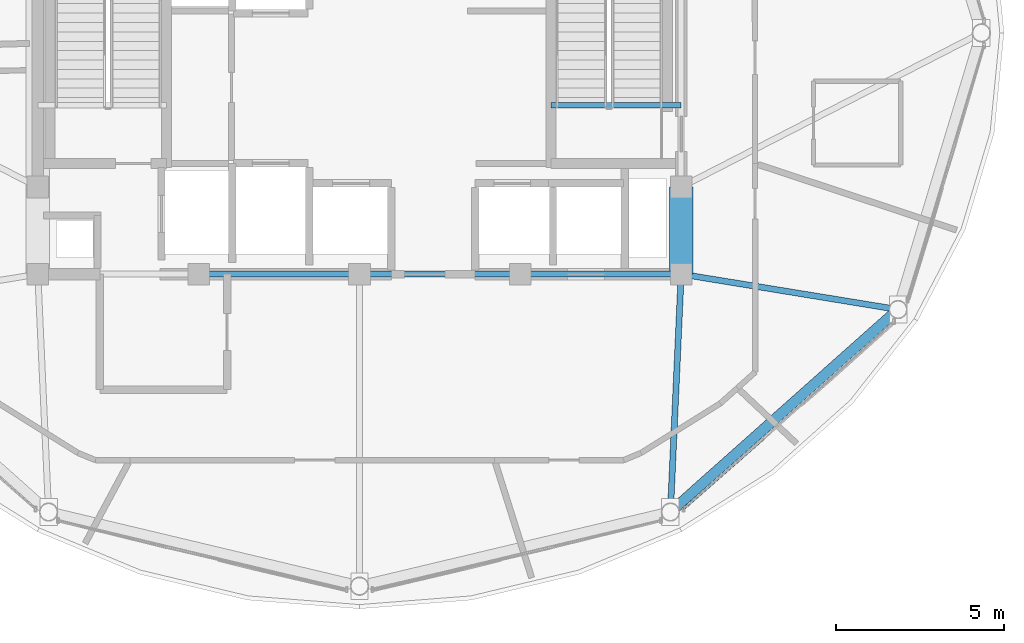
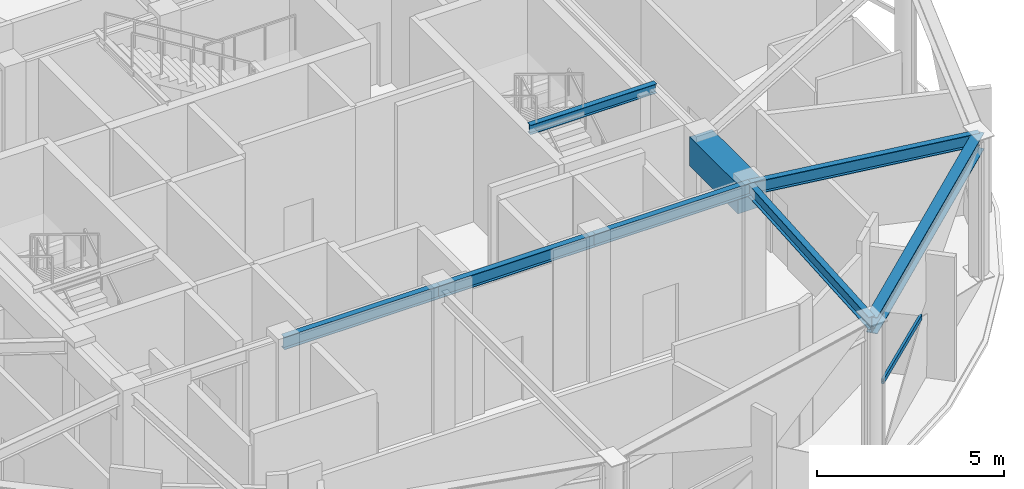
# One storey, part 6 of 22: 8 beams, 1 member, 1 element without a shape of its own.
"""IFC4 building model written with IfcOpenShell, lengths in metres."""

from ifc_helpers import new_model, si_unit, direction, frame, origin, origin_2d, place, context, subcontext, project, spatial, rectangle, hollow_rectangle, i_section, extrude, material, layer, layer_set, material_profile, profile_set, type_object, element, aggregate, save


model = new_model("IFC4")

# Units and contexts
model_context = context("Model", 3, precision=1e-05, world=origin(), true_north=direction((0.0, 1.0)))
body_context = subcontext(model_context, "Body", "Model", "MODEL_VIEW")
ifc_project = project(units=[si_unit("LENGTHUNIT", "METRE"), si_unit("AREAUNIT", "SQUARE_METRE"), si_unit("VOLUMEUNIT", "CUBIC_METRE"), si_unit("PLANEANGLEUNIT", "RADIAN"), si_unit("MASSUNIT", "GRAM", prefix="KILO")], contexts=[model_context])

# Site, building, storey
site_placement = place(None, origin())
site = spatial("IfcSite", under=ifc_project, at=site_placement, CompositionType="ELEMENT")
building_placement = place(site_placement, origin())
building = spatial("IfcBuilding", under=site, at=building_placement, Name="Vantalir Tower", CompositionType="ELEMENT")
storey_placement = place(building_placement, frame((0.0, 0.0, 294.89990234375)))
storey = spatial("IfcBuildingStorey", under=building, at=storey_placement, Name="L74", CompositionType="ELEMENT", Elevation=294.89990234375)

# Beams
ifc_material_1 = material(Name="Concrete C60/75", Category="concrete")
ifc_material_profile_1 = material_profile(ifc_material_1, rectangle(XDim=0.699951171875, YDim=0.949951171875, at=origin_2d()), Name="Concrete C60/75")
ifc_profile_set_1 = profile_set([ifc_material_profile_1], Name="Concrete C60/75")
beam_type_1 = type_object("IfcBeamType", Name="BM-CB-700x950", PredefinedType="USERDEFINED", material=ifc_profile_set_1)
beam_1_placement = place(storey_placement, frame((41.10009765625, 17.800048828125, 4.14501953125), z_axis=(0.0, 1.0, 0.0), x_axis=(-1.0, 0.0, 0.0)))
element("IfcBeam", 1, at=beam_1_placement, inside=storey, type_object=beam_type_1, Name="L74 Core Coupling Girder 05", ObjectType="GIRDER", PredefinedType="USERDEFINED", context=body_context, shape_type="SweptSolid", body=[
    extrude(rectangle(XDim=0.699951171875, YDim=0.949951171875, at=origin_2d()), origin(), (0.0, 0.0, 1.0), 2.599853515625),
])
ifc_material_2 = material(Name="Steel S355", Category="steel")
ifc_material_profile_2 = material_profile(ifc_material_2, i_section(OverallWidth=0.166015625, OverallDepth=0.306884765625, WebThickness=0.006591796875, FlangeThickness=0.01171875, at=origin_2d()), Name="Steel S355")
ifc_profile_set_2 = profile_set([ifc_material_profile_2], Name="Steel S355")
beam_type_2 = type_object("IfcBeamType", Name="BM-JS-305x165", PredefinedType="JOIST", material=ifc_profile_set_2)
beam_2_placement = place(storey_placement, frame((37.2099609375, 22.8349609375, 4.64599609375), z_axis=(1.0, 0.0, 0.0), x_axis=(0.0, 1.0, 0.0)))
element("IfcBeam", 2, at=beam_2_placement, inside=storey, type_object=beam_type_2, Name="L75 Stair ST2 Well Nosing Trimmer Beam", PredefinedType="JOIST", context=body_context, shape_type="SweptSolid", body=[
    extrude(i_section(OverallWidth=0.166015625, OverallDepth=0.306884765625, WebThickness=0.006591796875, FlangeThickness=0.01171875, at=origin_2d()), origin(), (0.0, 0.0, 1.0), 3.89013671875),
])
ifc_material_profile_3 = material_profile(ifc_material_2, i_section(OverallWidth=0.179931640625, OverallDepth=0.4130859375, WebThickness=0.009521484375, FlangeThickness=0.01611328125, at=origin_2d()), Name="Steel S355")
ifc_profile_set_3 = profile_set([ifc_material_profile_3], Name="Steel S355")
beam_type_3 = type_object("IfcBeamType", Name="BM-RB-406x178", PredefinedType="BEAM", material=ifc_profile_set_3)
for number, where, z_axis, x_axis, name in (
    (3, (26.699951171875, 17.800048828125, 4.4140625), (1.0, 0.0, 0.0), (0.0, 1.0, 0.0), "L74 Core Coupling Girder 02"),
    (4, (31.5, 17.800048828125, 4.4140625), (1.0, 0.0, 0.0), (0.0, 1.0, 0.0), "L74 Core Coupling Girder 03"),
    (5, (36.300048828125, 17.800048828125, 4.4140625), (1.0, 0.0, 0.0), (0.0, 1.0, 0.0), "L74 Core Coupling Girder 04"),
):
    element("IfcBeam", number, at=place(storey_placement, frame(where, z_axis=z_axis, x_axis=x_axis)), inside=storey, type_object=beam_type_3, Name=name, PredefinedType="BEAM", context=body_context, shape_type="SweptSolid", body=[
        extrude(i_section(OverallWidth=0.179931640625, OverallDepth=0.4130859375, WebThickness=0.009521484375, FlangeThickness=0.01611328125, at=origin_2d()), origin(), (0.0, 0.0, 1.0), 4.800048828125),
    ])
beam_3_placement = place(storey_placement, frame((40.780029296875, 10.699951171875, 4.4140625), z_axis=(0.045033696072, 0.998985468472, 0.0), x_axis=(-0.998985468472, 0.045033696072, 0.0)))
element("IfcBeam", 6, at=beam_3_placement, inside=storey, type_object=beam_type_3, Name="L74 Radial Floor Beam 11", PredefinedType="BEAM", context=body_context, shape_type="SweptSolid", body=[
    extrude(i_section(OverallWidth=0.179931640625, OverallDepth=0.4130859375, WebThickness=0.009521484375, FlangeThickness=0.01611328125, at=origin_2d()), origin(), (0.0, 0.0, 1.0), 7.107421875),
])
beam_4_placement = place(storey_placement, frame((47.572998046875, 16.743896484375, 4.4140625), z_axis=(-0.986948581599, 0.161035701882, 0.0), x_axis=(-0.161035701882, -0.986948581599, 0.0)))
element("IfcBeam", 7, at=beam_4_placement, inside=storey, type_object=beam_type_3, Name="L74 Radial Floor Beam 12", PredefinedType="BEAM", context=body_context, shape_type="SweptSolid", body=[
    extrude(i_section(OverallWidth=0.179931640625, OverallDepth=0.4130859375, WebThickness=0.009521484375, FlangeThickness=0.01611328125, at=origin_2d()), origin(), (0.0, 0.0, 1.0), 6.55859375),
])
ifc_material_3 = material(Name="Steel S460", Category="steel")
ifc_material_profile_4 = material_profile(ifc_material_3, i_section(OverallWidth=0.31201171875, OverallDepth=0.5419921875, WebThickness=0.0126953125, FlangeThickness=0.020263671875, at=origin_2d()), Name="Steel S460")
ifc_profile_set_4 = profile_set([ifc_material_profile_4], Name="Steel S460")
beam_type_4 = type_object("IfcBeamType", Name="BM-RG-533x312", PredefinedType="USERDEFINED", material=ifc_profile_set_4)
beam_5_placement = place(storey_placement, frame((40.780029296875, 10.699951171875, 4.34912109375), z_axis=(0.747095174026, 0.664717083388, 0.0), x_axis=(-0.664717083388, 0.747095174026, 0.0)))
element("IfcBeam", 8, at=beam_5_placement, inside=storey, type_object=beam_type_4, Name="L74 Circumferential Ring Girder 11", ObjectType="GIRDER", PredefinedType="USERDEFINED", context=body_context, shape_type="SweptSolid", body=[
    extrude(i_section(OverallWidth=0.31201171875, OverallDepth=0.5419921875, WebThickness=0.0126953125, FlangeThickness=0.020263671875, at=origin_2d()), origin(), (0.0, 0.0, 1.0), 9.092529296875),
])

# Curtain wall, member
ifc_material_4 = material(Name="Champagne-silver PVDF aluminium and double-silver Low-E glass", Category="aluminium")
ifc_layer = layer(ifc_material_4, 0.219970703125)
ifc_layer_set = layer_set([ifc_layer], Name="Champagne-silver PVDF aluminium and double-silver Low-E glass")
curtain_wall_type = type_object("IfcCurtainWallType", Name="CW-DIAMOND-Z4", PredefinedType="USERDEFINED", material=ifc_layer_set)
curtain_wall_placement = place(storey_placement, origin())
curtain_wall = element("IfcCurtainWall", 9, at=curtain_wall_placement, inside=storey, type_object=curtain_wall_type, Name="L74 Quilted Pyramid-Diamond Curtain Wall S11", ObjectType="UNITISED CURTAIN WALL", PredefinedType="USERDEFINED")
ifc_material_5 = material(Name="Champagne-silver PVDF aluminium 6063-T6", Category="aluminium")
ifc_material_profile_5 = material_profile(ifc_material_5, hollow_rectangle(XDim=0.074951171875, YDim=0.159912109375, WallThickness=0.00390625, at=origin_2d()), Name="Champagne-silver PVDF aluminium 6063-T6")
ifc_profile_set_5 = profile_set([ifc_material_profile_5], Name="Champagne-silver PVDF aluminium 6063-T6")
member_type = type_object("IfcMemberType", Name="CWT-160x75", PredefinedType="USERDEFINED", material=ifc_profile_set_5)
member_placement = place(storey_placement, frame((41.166015625, 10.794921875, 2.31005859375), z_axis=(0.751710643709, 0.659493069057, 0.0), x_axis=(-0.659493069057, 0.751710643709, 0.0)))
member = element("IfcMember", 10, at=member_placement, type_object=member_type, Name="CW-L74-S11 Pyramid Fold Ridge Transom", ObjectType="TRANSOM", PredefinedType="USERDEFINED", context=body_context, shape_type="SweptSolid", body=[
    extrude(hollow_rectangle(XDim=0.074951171875, YDim=0.159912109375, WallThickness=0.00390625, at=origin_2d()), origin(), (0.0, 0.0, 1.0), 3.197998046875),
])
aggregate(curtain_wall, [member])

save(model, "model.ifc")
